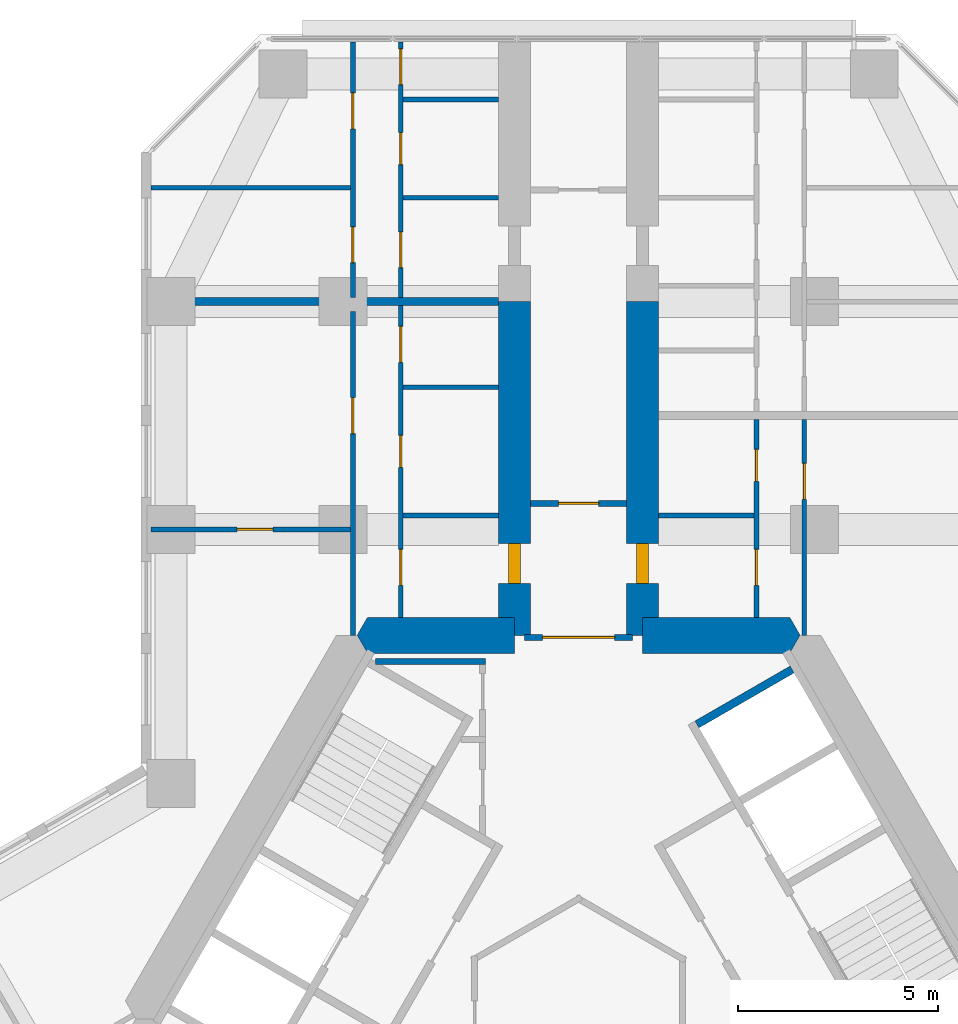
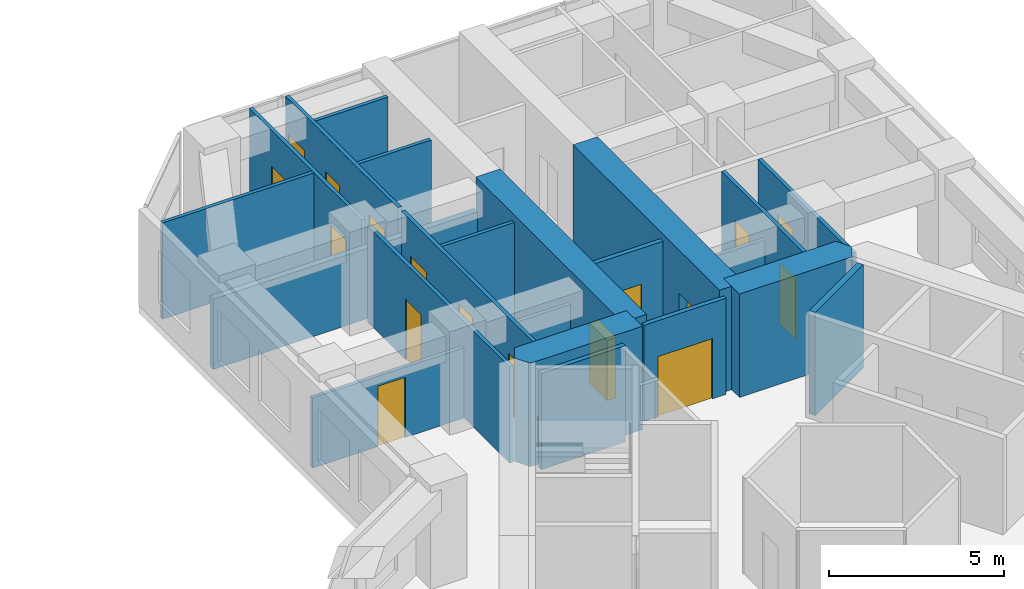
# One storey, part 17 of 20: 22 walls, 17 doors, 17 openings.
"""IFC4 building model written with IfcOpenShell, lengths in metres."""

import ifcopenshell
import ifcopenshell.guid

model = None  # the IFC model being written
_history = None  # IfcOwnerHistory: only IFC2X3 demands one
_inside = {}  # id of a spatial element -> (the spatial element, [elements in it])
_under = {}  # id of a project, library or spatial element -> (it, [spatial elements below it])
_declared = {}  # id of a project -> (the project, [libraries it declares])
_typed = {}  # id of a type object -> (the type object, [elements of that type])
_made_of = {}  # id of a material, layer set ... -> (it, [elements and type objects made of it])


def new_model(schema):
    """Start an empty IFC model of exactly this schema.

    Asked for "IFC4X3", IfcOpenShell would pick the latest addendum, in which some entities
    have other attributes; the version numbers below select the first issue.
    IFC2X3 requires an IfcOwnerHistory on every rooted entity: one is made here for all.
    """
    global model, _history
    if schema == "IFC4X3":
        model = ifcopenshell.file(schema_version=(4, 3, 0, 0))
    else:
        model = ifcopenshell.file(schema=schema)
    _inside.clear()
    _under.clear()
    _declared.clear()
    _typed.clear()
    _made_of.clear()
    _history = None
    if model.schema == "IFC2X3":
        org = make("IfcOrganization", Name="unknown")
        user = make(
            "IfcPersonAndOrganization",
            ThePerson=make("IfcPerson", FamilyName="unknown"),
            TheOrganization=org,
        )
        app = make(
            "IfcApplication",
            ApplicationDeveloper=org,
            Version="unknown",
            ApplicationFullName="unknown",
            ApplicationIdentifier="unknown",
        )
        _history = make(
            "IfcOwnerHistory",
            OwningUser=user,
            OwningApplication=app,
            ChangeAction="ADDED",
            CreationDate=0,
        )
    return model


def make(cls, **values):
    """One entity of the class cls with the attributes given. An attribute that is None is left unset."""
    return model.create_entity(
        cls, **{name: value for name, value in values.items() if value is not None}
    )


def rooted(cls, **values):
    """An entity with a GlobalId (a new one), such as an element, a storey or a relation."""
    return make(cls, GlobalId=ifcopenshell.guid.new(), OwnerHistory=_history, **values)


def si_unit(unit_type, name, prefix=None):
    """IfcSIUnit, for example si_unit("LENGTHUNIT", "METRE", prefix="MILLI")."""
    return make("IfcSIUnit", UnitType=unit_type, Prefix=prefix, Name=name)


def assignment(units):
    """IfcUnitAssignment: the units of a project."""
    return None if units is None else make("IfcUnitAssignment", Units=units)


def point(xyz):
    """IfcCartesianPoint."""
    return None if xyz is None else make("IfcCartesianPoint", Coordinates=xyz)


def direction(xyz):
    """IfcDirection."""
    return None if xyz is None else make("IfcDirection", DirectionRatios=xyz)


def frame(location, z_axis=None, x_axis=None):
    """IfcAxis2Placement3D, a coordinate frame: its origin and axes. An axis left out is left unset."""
    return make(
        "IfcAxis2Placement3D",
        Location=point(location),
        Axis=direction(z_axis),
        RefDirection=direction(x_axis),
    )


def frame_2d(location, x_axis=None):
    """IfcAxis2Placement2D, a coordinate frame in the plane: its origin and x axis."""
    return make(
        "IfcAxis2Placement2D", Location=point(location), RefDirection=direction(x_axis)
    )


def origin():
    """The frame at (0, 0, 0) with its axes left unset."""
    return frame((0.0, 0.0, 0.0))


def place(relative_to, where):
    """IfcLocalPlacement: puts the frame where relative to a parent placement (None: the world)."""
    return make(
        "IfcLocalPlacement", PlacementRelTo=relative_to, RelativePlacement=where
    )


def context(
    kind, dimensions, precision=None, world=None, true_north=None, identifier=None
):
    """IfcGeometricRepresentationContext, for example the 3D "Model" context."""
    return make(
        "IfcGeometricRepresentationContext",
        ContextIdentifier=identifier,
        ContextType=kind,
        CoordinateSpaceDimension=dimensions,
        Precision=precision,
        WorldCoordinateSystem=world,
        TrueNorth=true_north,
    )


def subcontext(parent, identifier, kind, view, scale=None):
    """IfcGeometricRepresentationSubContext, for example "Body" below "Model"."""
    return make(
        "IfcGeometricRepresentationSubContext",
        ContextIdentifier=identifier,
        ContextType=kind,
        ParentContext=parent,
        TargetScale=scale,
        TargetView=view,
    )


def project(units=None, contexts=None):
    """IfcProject with its units and contexts."""
    return rooted(
        "IfcProject",
        Name="project",
        RepresentationContexts=contexts,
        UnitsInContext=assignment(units),
    )


def spatial(cls, under=None, at=None, **own):
    """A site, building, storey or space (cls), placed at a placement, below another one or the project."""
    s = rooted(cls, ObjectPlacement=at, **own)
    if under is not None:
        _under.setdefault(under.id(), (under, []))[1].append(s)
    return s


def polyline(points):
    """IfcPolyline through the points."""
    return make("IfcPolyline", Points=[point(p) for p in points])


def profile(cls, at=None, kind="AREA", **sizes):
    """A parametric profile (cls). Its sizes go by their IFC names, for example OverallWidth=200.0."""
    return make(cls, ProfileType=kind, Position=at, **sizes)


def rectangle(**sizes):
    """IfcRectangleProfileDef."""
    return profile("IfcRectangleProfileDef", **sizes)


def outline(outer, holes=None, kind="AREA"):
    """IfcArbitraryClosedProfileDef: a profile drawn as a closed curve; with holes, ...WithVoids."""
    if holes is None:
        return make("IfcArbitraryClosedProfileDef", ProfileType=kind, OuterCurve=outer)
    return make(
        "IfcArbitraryProfileDefWithVoids",
        ProfileType=kind,
        OuterCurve=outer,
        InnerCurves=holes,
    )


def extrude(swept, where, along, depth):
    """IfcExtrudedAreaSolid: the profile swept, set in the frame where, extruded along a direction by depth."""
    return make(
        "IfcExtrudedAreaSolid",
        SweptArea=swept,
        Position=where,
        ExtrudedDirection=direction(along),
        Depth=depth,
    )


def shape(context_of_items, identifier, shape_type, items):
    """IfcShapeRepresentation: the items that make up one representation, for example the "Body"."""
    return make(
        "IfcShapeRepresentation",
        ContextOfItems=context_of_items,
        RepresentationIdentifier=identifier,
        RepresentationType=shape_type,
        Items=items,
    )


def material(Name=None, Category=None):
    """IfcMaterial."""
    return make("IfcMaterial", Name=Name, Category=Category)


def layer(
    of_material, thickness, ventilated=None, Name=None, Category=None, Priority=None
):
    """IfcMaterialLayer: one layer of a wall or slab, of a material (None: an air gap)."""
    return make(
        "IfcMaterialLayer",
        Material=of_material,
        LayerThickness=thickness,
        IsVentilated=ventilated,
        Name=Name,
        Category=Category,
        Priority=Priority,
    )


def layer_set(layers, Name=None):
    """IfcMaterialLayerSet."""
    return make("IfcMaterialLayerSet", MaterialLayers=layers, LayerSetName=Name)


def made_of(thing, what):
    """Note that an element or type object is made of a material, layer set ...; save() writes the relation."""
    if what is not None:
        _made_of.setdefault(what.id(), (what, []))[1].append(thing)
    return thing


def type_object(cls, material=None, **own):
    """A type object (cls), such as IfcWallType, which elements share."""
    return made_of(rooted(cls, **own), material)


def element(
    cls,
    number,
    at=None,
    inside=None,
    cuts=None,
    type_object=None,
    material=None,
    context=None,
    identifier="Body",
    shape_type=None,
    held_by="IfcProductDefinitionShape",
    body=None,
    shapes=None,
    **own,
):
    """One element of the class cls, such as IfcWall. Its Tag is "e" and its number.

    at: its placement. inside: the storey or other place that contains it. cuts: it is an
    opening in that element (IfcRelVoidsElement). A single representation is given by context,
    identifier, shape_type and body (its items); several are given by shapes. held_by: the class
    of the entity that holds the representations. save() writes the other relations.
    """
    e = rooted(cls, Tag="e%d" % number, ObjectPlacement=at, **own)
    if body is not None:
        shapes = [shape(context, identifier, shape_type, body)]
    if shapes is not None:
        e.Representation = make(held_by, Representations=shapes)
    if inside is not None:
        _inside.setdefault(inside.id(), (inside, []))[1].append(e)
    if cuts is not None:
        rooted(
            "IfcRelVoidsElement", RelatingBuildingElement=cuts, RelatedOpeningElement=e
        )
    if type_object is not None:
        _typed.setdefault(type_object.id(), (type_object, []))[1].append(e)
    return made_of(e, material)


def fill(opening, filler):
    """IfcRelFillsElement: the door or window that sits in an opening."""
    return rooted(
        "IfcRelFillsElement",
        RelatingOpeningElement=opening,
        RelatedBuildingElement=filler,
    )


def aggregate(whole, parts):
    """IfcRelAggregates: a whole, such as a stair, and the parts it consists of."""
    return rooted("IfcRelAggregates", RelatingObject=whole, RelatedObjects=parts)


def save(model, path):
    """Write the relations noted so far, then the file.

    IfcRelAggregates (storeys below a building ...), IfcRelContainedInSpatialStructure (elements
    in a storey), IfcRelDefinesByType, IfcRelAssociatesMaterial and IfcRelDeclares: one each for
    every whole, place, type object, material and project.
    """
    for whole, parts in _under.values():
        aggregate(whole, parts)
    for where, things in _inside.values():
        rooted(
            "IfcRelContainedInSpatialStructure",
            RelatedElements=things,
            RelatingStructure=where,
        )
    for kind, things in _typed.values():
        rooted("IfcRelDefinesByType", RelatedObjects=things, RelatingType=kind)
    for what, things in _made_of.values():
        rooted("IfcRelAssociatesMaterial", RelatedObjects=things, RelatingMaterial=what)
    for by, libraries in _declared.values():
        rooted("IfcRelDeclares", RelatingContext=by, RelatedDefinitions=libraries)
    model.write(path)


model = new_model("IFC4")

# Units and contexts
model_context = context("Model", 3, precision=1e-05, world=origin(), true_north=direction((0.0, 1.0)))
body_context = subcontext(model_context, "Body", "Model", "MODEL_VIEW")
ifc_project = project(units=[si_unit("LENGTHUNIT", "METRE"), si_unit("AREAUNIT", "SQUARE_METRE"), si_unit("VOLUMEUNIT", "CUBIC_METRE"), si_unit("PLANEANGLEUNIT", "RADIAN"), si_unit("MASSUNIT", "GRAM", prefix="KILO")], contexts=[model_context])

# Site, building, storey
site_placement = place(None, origin())
site = spatial("IfcSite", under=ifc_project, at=site_placement, CompositionType="ELEMENT")
building_placement = place(site_placement, origin())
building = spatial("IfcBuilding", under=site, at=building_placement, Name="Kosmar Iwan School Tower", CompositionType="ELEMENT")
storey_placement = place(building_placement, frame((0.0, 0.0, 127.39990234375)))
storey = spatial("IfcBuildingStorey", under=building, at=storey_placement, Name="L31", CompositionType="ELEMENT", Elevation=127.39990234375)

# Walls
ifc_material_1 = material(Name="Gypsum board on steel studs, fire-rated", Category="steel")
ifc_layer_1 = layer(ifc_material_1, 0.14990234375)
ifc_layer_set_1 = layer_set([ifc_layer_1], Name="Core room partition 150")
wall_type_1 = type_object("IfcWallType", Name="Core room partition 150", PredefinedType="PARTITIONING", material=ifc_layer_set_1)
wall_1_placement = place(storey_placement, frame((-5.089599609375, 8.93994140625, 0.0), z_axis=(0.0, 0.0, 1.0), x_axis=(1.0, 0.0, 0.0)))
element("IfcWall", 1, at=wall_1_placement, inside=storey, type_object=wall_type_1, Name="Core room partition L31-CW3", PredefinedType="PARTITIONING", context=body_context, shape_type="SweptSolid", body=[
    extrude(rectangle(XDim=2.7646484375, YDim=0.14990234375, at=frame_2d((1.38232421875, 0.0))), origin(), (0.0, 0.0, 1.0), 3.35009765625),
])
ifc_material_2 = material(Name="Concrete C50/60", Category="concrete")
ifc_layer_2 = layer(ifc_material_2, 0.89990234375)
ifc_layer_set_2 = layer_set([ifc_layer_2], Name="Core wall 900")
wall_type_2 = type_object("IfcWallType", Name="Core wall 900", PredefinedType="SHEAR", material=ifc_layer_set_2)
wall_2_placement = place(storey_placement, origin())
element("IfcWall", 2, at=wall_2_placement, inside=storey, type_object=wall_type_2, Name="Core wall F090a", PredefinedType="SHEAR", context=body_context, shape_type="SweptSolid", body=[
    extrude(outline(polyline([(1.60009765625, 9.14990234375), (5.28271484375, 9.14990234375), (5.54248046875, 9.60009765625), (5.28271484375, 10.050048828125), (1.60009765625, 10.050048828125), (1.60009765625, 9.14990234375)])), origin(), (0.0, 0.0, 1.0), 3.60009765625),
])
wall_3_placement = place(storey_placement, origin())
element("IfcWall", 3, at=wall_3_placement, inside=storey, type_object=wall_type_2, Name="Core wall F090b", PredefinedType="SHEAR", context=body_context, shape_type="SweptSolid", body=[
    extrude(outline(polyline([(-5.28271484375, 9.14990234375), (-1.60009765625, 9.14990234375), (-1.60009765625, 10.050048828125), (-5.28271484375, 10.050048828125), (-5.54248046875, 9.60009765625), (-5.28271484375, 9.14990234375)])), origin(), (0.0, 0.0, 1.0), 3.60009765625),
])

# Wall, opening, door
ifc_material_3 = material(Name="Concrete C50/60", Category="concrete")
ifc_layer_3 = layer(ifc_material_3, 0.800048828125)
ifc_layer_set_3 = layer_set([ifc_layer_3], Name="Corridor buttress wall 800")
wall_type_3 = type_object("IfcWallType", Name="Corridor buttress wall 800", PredefinedType="SHEAR", material=ifc_layer_set_3)
wall_4_placement = place(storey_placement, frame((-1.60009765625, 9.60009765625, 0.0), z_axis=(0.0, 0.0, 1.0), x_axis=(0.0, 1.0, 0.0)))
wall_4 = element("IfcWall", 4, at=wall_4_placement, inside=storey, type_object=wall_type_3, Name="Corridor wall AL", PredefinedType="SHEAR", context=body_context, shape_type="SweptSolid", body=[
    extrude(rectangle(XDim=8.349853515625, YDim=0.800048828125, at=frame_2d((4.1748046875, 0.0))), origin(), (0.0, 0.0, 1.0), 3.60009765625),
])
opening_1_placement = place(wall_4_placement, frame((1.300048828125, 0.0, 0.0)))
opening_1 = element("IfcOpeningElement", 5, at=opening_1_placement, cuts=wall_4, Name="Opening D1", PredefinedType="OPENING", context=body_context, shape_type="SweptSolid", body=[
    extrude(rectangle(XDim=1.0, YDim=2.10009765625, at=frame_2d((0.5, 1.050048828125))), frame((0.0, 0.412109375, 0.0), z_axis=(0.0, -1.0, 0.0), x_axis=(1.0, 0.0, 0.0)), (0.0, 0.0, 1.0), 0.823974609375),
])
ifc_material_4 = material(Name="Timber fire door in steel frame", Category="steel")
door_type_1 = type_object("IfcDoorType", Name="Flat entrance door 1000x2100", OperationType="SINGLE_SWING_LEFT", PredefinedType="DOOR", material=ifc_material_4)
door_1_placement = place(opening_1_placement, origin())
door_1 = element("IfcDoor", 6, at=door_1_placement, inside=storey, type_object=door_type_1, Name="Flat L31-AL1 entrance door", OperationType="SINGLE_SWING_RIGHT", OverallHeight=2.10009765625, OverallWidth=1.0, PredefinedType="DOOR", context=body_context, shape_type="SweptSolid", body=[
    extrude(rectangle(XDim=1.0, YDim=2.10009765625, at=frame_2d((0.5, 1.050048828125))), frame((0.0, 0.14990234375, 0.0), z_axis=(0.0, -1.0, 0.0), x_axis=(1.0, 0.0, 0.0)), (0.0, 0.0, 1.0), 0.300048828125),
])
fill(opening_1, door_1)

wall_5_placement = place(storey_placement, frame((1.60009765625, 9.60009765625, 0.0), z_axis=(0.0, 0.0, 1.0), x_axis=(0.0, 1.0, 0.0)))
wall_5 = element("IfcWall", 7, at=wall_5_placement, inside=storey, type_object=wall_type_3, Name="Corridor wall AR", PredefinedType="SHEAR", context=body_context, shape_type="SweptSolid", body=[
    extrude(rectangle(XDim=8.349853515625, YDim=0.800048828125, at=frame_2d((4.1748046875, 0.0))), origin(), (0.0, 0.0, 1.0), 3.60009765625),
])
opening_2_placement = place(wall_5_placement, frame((1.300048828125, 0.0, 0.0)))
opening_2 = element("IfcOpeningElement", 8, at=opening_2_placement, cuts=wall_5, Name="Opening D1", PredefinedType="OPENING", context=body_context, shape_type="SweptSolid", body=[
    extrude(rectangle(XDim=1.0, YDim=2.10009765625, at=frame_2d((0.5, 1.050048828125))), frame((0.0, 0.412109375, 0.0), z_axis=(0.0, -1.0, 0.0), x_axis=(1.0, 0.0, 0.0)), (0.0, 0.0, 1.0), 0.823974609375),
])
door_2_placement = place(opening_2_placement, origin())
door_2 = element("IfcDoor", 9, at=door_2_placement, inside=storey, type_object=door_type_1, Name="Flat L31-AR1 entrance door", OperationType="SINGLE_SWING_RIGHT", OverallHeight=2.10009765625, OverallWidth=1.0, PredefinedType="DOOR", context=body_context, shape_type="SweptSolid", body=[
    extrude(rectangle(XDim=1.0, YDim=2.10009765625, at=frame_2d((0.5, 1.050048828125))), frame((0.0, 0.14990234375, 0.0), z_axis=(0.0, -1.0, 0.0), x_axis=(1.0, 0.0, 0.0)), (0.0, 0.0, 1.0), 0.300048828125),
])
fill(opening_2, door_2)

ifc_material_5 = material(Name="Gypsum board on steel studs, fire-rated", Category="steel")
ifc_layer_4 = layer(ifc_material_5, 0.14990234375)
ifc_layer_set_4 = layer_set([ifc_layer_4], Name="Corridor end wall 150")
wall_type_4 = type_object("IfcWallType", Name="Corridor end wall 150", PredefinedType="PARTITIONING", material=ifc_layer_set_4)
wall_6_placement = place(storey_placement, frame((1.199951171875, 12.89990234375, 0.0), z_axis=(0.0, 0.0, 1.0), x_axis=(-1.0, 0.0, 0.0)))
wall_6 = element("IfcWall", 10, at=wall_6_placement, inside=storey, type_object=wall_type_4, Name="Partition L31-A-HW", PredefinedType="PARTITIONING", context=body_context, shape_type="SweptSolid", body=[
    extrude(rectangle(XDim=2.39990234375, YDim=0.14990234375, at=frame_2d((1.199951171875, 0.0))), origin(), (0.0, 0.0, 1.0), 3.35009765625),
])
opening_3_placement = place(wall_6_placement, frame((0.699951171875, 0.0, 0.0)))
opening_3 = element("IfcOpeningElement", 11, at=opening_3_placement, cuts=wall_6, Name="Opening D13", PredefinedType="OPENING", context=body_context, shape_type="SweptSolid", body=[
    extrude(rectangle(XDim=1.0, YDim=2.10009765625, at=frame_2d((0.5, 1.050048828125))), frame((0.0, 0.0869140625, 0.0), z_axis=(0.0, -1.0, 0.0), x_axis=(1.0, 0.0, 0.0)), (0.0, 0.0, 1.0), 0.173828125),
])
ifc_material_6 = material(Name="Timber fire door with vision panel", Category="wood")
door_type_2 = type_object("IfcDoorType", Name="Corridor end door 1000x2100", OperationType="SINGLE_SWING_LEFT", PredefinedType="DOOR", material=ifc_material_6)
door_3_placement = place(opening_3_placement, origin())
door_3 = element("IfcDoor", 12, at=door_3_placement, inside=storey, type_object=door_type_2, Name="Hashti door L31-A", OperationType="SINGLE_SWING_RIGHT", OverallHeight=2.10009765625, OverallWidth=1.0, PredefinedType="DOOR", context=body_context, shape_type="SweptSolid", body=[
    extrude(rectangle(XDim=1.0, YDim=2.10009765625, at=frame_2d((0.5, 1.050048828125))), frame((0.0, 0.02490234375, 0.0), z_axis=(0.0, -1.0, 0.0), x_axis=(1.0, 0.0, 0.0)), (0.0, 0.0, 1.0), 0.050048828125),
])
fill(opening_3, door_3)

ifc_material_7 = material(Name="Steel framed glazed screen", Category="steel")
ifc_layer_5 = layer(ifc_material_7, 0.14990234375)
ifc_layer_set_5 = layer_set([ifc_layer_5], Name="Corridor screen wall 150")
wall_type_5 = type_object("IfcWallType", Name="Corridor screen wall 150", PredefinedType="PARTITIONING", material=ifc_layer_set_5)
wall_7_placement = place(storey_placement, frame((1.35009765625, 9.550048828125, 0.0), z_axis=(0.0, 0.0, 1.0), x_axis=(-1.0, 0.0, 0.0)))
wall_7 = element("IfcWall", 13, at=wall_7_placement, inside=storey, type_object=wall_type_5, Name="Corridor screen A L31", PredefinedType="PARTITIONING", context=body_context, shape_type="SweptSolid", body=[
    extrude(rectangle(XDim=2.7001953125, YDim=0.14990234375, at=frame_2d((1.35009765625, 0.0))), origin(), (0.0, 0.0, 1.0), 3.35009765625),
])
opening_4_placement = place(wall_7_placement, frame((0.449951171875, 0.0, 0.0)))
opening_4 = element("IfcOpeningElement", 14, at=opening_4_placement, cuts=wall_7, Name="Opening D9", PredefinedType="OPENING", context=body_context, shape_type="SweptSolid", body=[
    extrude(rectangle(XDim=1.800048828125, YDim=2.10009765625, at=frame_2d((0.89990234375, 1.050048828125))), frame((0.0, 0.0869140625, 0.0), z_axis=(0.0, -1.0, 0.0), x_axis=(1.0, 0.0, 0.0)), (0.0, 0.0, 1.0), 0.173828125),
])
ifc_material_8 = material(Name="Steel framed glazed smoke door", Category="steel")
door_type_3 = type_object("IfcDoorType", Name="Corridor smoke door pair 1800x2100", OperationType="DOUBLE_DOOR_DOUBLE_SWING", PredefinedType="DOOR", material=ifc_material_8)
door_4_placement = place(opening_4_placement, origin())
door_4 = element("IfcDoor", 15, at=door_4_placement, inside=storey, type_object=door_type_3, Name="Corridor doors A L31", OperationType="DOUBLE_DOOR_DOUBLE_SWING", OverallHeight=2.10009765625, OverallWidth=1.800048828125, PredefinedType="DOOR", context=body_context, shape_type="SweptSolid", body=[
    extrude(rectangle(XDim=1.800048828125, YDim=2.10009765625, at=frame_2d((0.89990234375, 1.050048828125))), frame((0.0, 0.02490234375, 0.0), z_axis=(0.0, -1.0, 0.0), x_axis=(1.0, 0.0, 0.0)), (0.0, 0.0, 1.0), 0.050048828125),
])
fill(opening_4, door_4)

# Wall, openings, doors
ifc_material_9 = material(Name="Gypsum board on steel studs", Category="steel")
ifc_layer_6 = layer(ifc_material_9, 0.1201171875)
ifc_layer_set_6 = layer_set([ifc_layer_6], Name="Dwelling partition 120")
wall_type_6 = type_object("IfcWallType", Name="Dwelling partition 120", PredefinedType="PARTITIONING", material=ifc_layer_set_6)
wall_8_placement = place(storey_placement, frame((-4.449951171875, 10.050048828125, 0.0), z_axis=(0.0, 0.0, 1.0), x_axis=(0.0, 1.0, 0.0)))
wall_8 = element("IfcWall", 16, at=wall_8_placement, inside=storey, type_object=wall_type_6, Name="Partition L31-AL1-W1", PredefinedType="PARTITIONING", context=body_context, shape_type="SweptSolid", body=[
    extrude(rectangle(XDim=7.800048828125, YDim=0.1201171875, at=frame_2d((3.89990234375, 0.0))), origin(), (0.0, 0.0, 1.0), 3.35009765625),
])
opening_5_placement = place(wall_8_placement, frame((0.800048828125, 0.0, 0.0)))
opening_5 = element("IfcOpeningElement", 17, at=opening_5_placement, cuts=wall_8, Name="Opening D2", PredefinedType="OPENING", context=body_context, shape_type="SweptSolid", body=[
    extrude(rectangle(XDim=0.89990234375, YDim=2.10009765625, at=frame_2d((0.449951171875, 1.050048828125))), frame((0.0, 0.072021484375, 0.0), z_axis=(0.0, -1.0, 0.0), x_axis=(1.0, 0.0, 0.0)), (0.0, 0.0, 1.0), 0.14404296875),
])
opening_6_placement = place(wall_8_placement, frame((3.755126953125, 0.0, 0.0)))
opening_6 = element("IfcOpeningElement", 18, at=opening_6_placement, cuts=wall_8, Name="Opening D3", PredefinedType="OPENING", context=body_context, shape_type="SweptSolid", body=[
    extrude(rectangle(XDim=0.800048828125, YDim=2.10009765625, at=frame_2d((0.39990234375, 1.050048828125))), frame((0.0, 0.072021484375, 0.0), z_axis=(0.0, -1.0, 0.0), x_axis=(1.0, 0.0, 0.0)), (0.0, 0.0, 1.0), 0.14404296875),
])
opening_7_placement = place(wall_8_placement, frame((6.380126953125, 0.0, 0.0)))
opening_7 = element("IfcOpeningElement", 19, at=opening_7_placement, cuts=wall_8, Name="Opening D2", PredefinedType="OPENING", context=body_context, shape_type="SweptSolid", body=[
    extrude(rectangle(XDim=0.89990234375, YDim=2.10009765625, at=frame_2d((0.449951171875, 1.050048828125))), frame((0.0, 0.072021484375, 0.0), z_axis=(0.0, -1.0, 0.0), x_axis=(1.0, 0.0, 0.0)), (0.0, 0.0, 1.0), 0.14404296875),
])
ifc_material_10 = material(Name="Timber door in timber frame", Category="wood")
door_type_4 = type_object("IfcDoorType", Name="Internal door 900x2100", OperationType="SINGLE_SWING_LEFT", PredefinedType="DOOR", material=ifc_material_10)
door_5_placement = place(opening_5_placement, origin())
door_5 = element("IfcDoor", 20, at=door_5_placement, inside=storey, type_object=door_type_4, Name="Entrance hall door L31-AL1-S1", OperationType="SINGLE_SWING_LEFT", OverallHeight=2.10009765625, OverallWidth=0.89990234375, PredefinedType="DOOR", context=body_context, shape_type="SweptSolid", body=[
    extrude(rectangle(XDim=0.89990234375, YDim=2.10009765625, at=frame_2d((0.449951171875, 1.050048828125))), frame((0.0, 0.02490234375, 0.0), z_axis=(0.0, -1.0, 0.0), x_axis=(1.0, 0.0, 0.0)), (0.0, 0.0, 1.0), 0.050048828125),
])
fill(opening_5, door_5)
door_6_placement = place(opening_7_placement, origin())
door_6 = element("IfcDoor", 21, at=door_6_placement, inside=storey, type_object=door_type_4, Name="Pantry door L31-AL1-S3", OperationType="SINGLE_SWING_RIGHT", OverallHeight=2.10009765625, OverallWidth=0.89990234375, PredefinedType="DOOR", context=body_context, shape_type="SweptSolid", body=[
    extrude(rectangle(XDim=0.89990234375, YDim=2.10009765625, at=frame_2d((0.449951171875, 1.050048828125))), frame((0.0, 0.02490234375, 0.0), z_axis=(0.0, -1.0, 0.0), x_axis=(1.0, 0.0, 0.0)), (0.0, 0.0, 1.0), 0.050048828125),
])
fill(opening_7, door_6)
ifc_material_11 = material(Name="Timber door in timber frame", Category="wood")
door_type_5 = type_object("IfcDoorType", Name="Sanitary room door 800x2100", OperationType="SINGLE_SWING_LEFT", PredefinedType="DOOR", material=ifc_material_11)
door_7_placement = place(opening_6_placement, origin())
door_7 = element("IfcDoor", 22, at=door_7_placement, inside=storey, type_object=door_type_5, Name="Bathroom door L31-AL1-S2", OperationType="SINGLE_SWING_RIGHT", OverallHeight=2.10009765625, OverallWidth=0.800048828125, PredefinedType="DOOR", context=body_context, shape_type="SweptSolid", body=[
    extrude(rectangle(XDim=0.800048828125, YDim=2.10009765625, at=frame_2d((0.39990234375, 1.050048828125))), frame((0.0, 0.02490234375, 0.0), z_axis=(0.0, -1.0, 0.0), x_axis=(1.0, 0.0, 0.0)), (0.0, 0.0, 1.0), 0.050048828125),
])
fill(opening_6, door_7)

# Wall, opening, door
wall_9_placement = place(storey_placement, frame((-5.64990234375, 9.60009765625, 0.0), z_axis=(0.0, 0.0, 1.0), x_axis=(0.0, 1.0, 0.0)))
wall_9 = element("IfcWall", 23, at=wall_9_placement, inside=storey, type_object=wall_type_6, Name="Partition L31-AL1-W2", PredefinedType="PARTITIONING", context=body_context, shape_type="SweptSolid", body=[
    extrude(rectangle(XDim=8.099853515625, YDim=0.1201171875, at=frame_2d((4.0498046875, 0.0))), origin(), (0.0, 0.0, 1.0), 3.35009765625),
])
opening_8_placement = place(wall_9_placement, frame((5.050048828125, 0.0, 0.0)))
opening_8 = element("IfcOpeningElement", 24, at=opening_8_placement, cuts=wall_9, Name="Opening D2", PredefinedType="OPENING", context=body_context, shape_type="SweptSolid", body=[
    extrude(rectangle(XDim=0.89990234375, YDim=2.10009765625, at=frame_2d((0.449951171875, 1.050048828125))), frame((0.0, 0.072021484375, 0.0), z_axis=(0.0, -1.0, 0.0), x_axis=(1.0, 0.0, 0.0)), (0.0, 0.0, 1.0), 0.14404296875),
])
door_8_placement = place(opening_8_placement, origin())
door_8 = element("IfcDoor", 25, at=door_8_placement, inside=storey, type_object=door_type_4, Name="Studio living room door L31-AL1-F2", OperationType="SINGLE_SWING_RIGHT", OverallHeight=2.10009765625, OverallWidth=0.89990234375, PredefinedType="DOOR", context=body_context, shape_type="SweptSolid", body=[
    extrude(rectangle(XDim=0.89990234375, YDim=2.10009765625, at=frame_2d((0.449951171875, 1.050048828125))), frame((0.0, 0.02490234375, 0.0), z_axis=(0.0, -1.0, 0.0), x_axis=(1.0, 0.0, 0.0)), (0.0, 0.0, 1.0), 0.050048828125),
])
fill(opening_8, door_8)

wall_10_placement = place(storey_placement, frame((-5.7099609375, 12.25, 0.0), z_axis=(0.0, 0.0, 1.0), x_axis=(-1.0, 0.0, 0.0)))
wall_10 = element("IfcWall", 26, at=wall_10_placement, inside=storey, type_object=wall_type_6, Name="Partition L31-AL1-X1", PredefinedType="PARTITIONING", context=body_context, shape_type="SweptSolid", body=[
    extrude(rectangle(XDim=4.989990234375, YDim=0.1201171875, at=frame_2d((2.4951171875, 0.0))), origin(), (0.0, 0.0, 1.0), 2.4501953125),
])
opening_9_placement = place(wall_10_placement, frame((1.93994140625, 0.0, 0.0)))
opening_9 = element("IfcOpeningElement", 27, at=opening_9_placement, cuts=wall_10, Name="Opening D2", PredefinedType="OPENING", context=body_context, shape_type="SweptSolid", body=[
    extrude(rectangle(XDim=0.89990234375, YDim=2.10009765625, at=frame_2d((0.449951171875, 1.050048828125))), frame((0.0, 0.072021484375, 0.0), z_axis=(0.0, -1.0, 0.0), x_axis=(1.0, 0.0, 0.0)), (0.0, 0.0, 1.0), 0.14404296875),
])
door_9_placement = place(opening_9_placement, origin())
door_9 = element("IfcDoor", 28, at=door_9_placement, inside=storey, type_object=door_type_4, Name="Kitchen and dining room door L31-AL1-F1", OperationType="SINGLE_SWING_LEFT", OverallHeight=2.10009765625, OverallWidth=0.89990234375, PredefinedType="DOOR", context=body_context, shape_type="SweptSolid", body=[
    extrude(rectangle(XDim=0.89990234375, YDim=2.10009765625, at=frame_2d((0.449951171875, 1.050048828125))), frame((0.0, 0.02490234375, 0.0), z_axis=(0.0, -1.0, 0.0), x_axis=(1.0, 0.0, 0.0)), (0.0, 0.0, 1.0), 0.050048828125),
])
fill(opening_9, door_9)

# Walls
wall_11_placement = place(storey_placement, frame((-2.0, 12.60009765625, 0.0), z_axis=(0.0, 0.0, 1.0), x_axis=(-1.0, 0.0, 0.0)))
element("IfcWall", 29, at=wall_11_placement, inside=storey, type_object=wall_type_6, Name="Partition L31-AL1-Y1", PredefinedType="PARTITIONING", context=body_context, shape_type="SweptSolid", body=[
    extrude(rectangle(XDim=2.389892578125, YDim=0.1201171875, at=frame_2d((1.19482421875, 0.0))), origin(), (0.0, 0.0, 1.0), 2.4501953125),
])
wall_12_placement = place(storey_placement, frame((-2.0, 15.81005859375, 0.0), z_axis=(0.0, 0.0, 1.0), x_axis=(-1.0, 0.0, 0.0)))
element("IfcWall", 30, at=wall_12_placement, inside=storey, type_object=wall_type_6, Name="Partition L31-AL1-Y2", PredefinedType="PARTITIONING", context=body_context, shape_type="SweptSolid", body=[
    extrude(rectangle(XDim=2.389892578125, YDim=0.1201171875, at=frame_2d((1.19482421875, 0.0))), origin(), (0.0, 0.0, 1.0), 3.35009765625),
])

# Wall, openings, doors
wall_13_placement = place(storey_placement, frame((-4.449951171875, 18.050048828125, 0.0), z_axis=(0.0, 0.0, 1.0), x_axis=(0.0, 1.0, 0.0)))
wall_13 = element("IfcWall", 31, at=wall_13_placement, inside=storey, type_object=wall_type_6, Name="Partition L31-AL2-W1", PredefinedType="PARTITIONING", context=body_context, shape_type="SweptSolid", body=[
    extrude(rectangle(XDim=6.39501953125, YDim=0.1201171875, at=frame_2d((3.197509765625, 0.0))), origin(), (0.0, 0.0, 1.0), 3.35009765625),
])
opening_10_placement = place(wall_13_placement, frame((0.75, 0.0, 0.0)))
opening_10 = element("IfcOpeningElement", 32, at=opening_10_placement, cuts=wall_13, Name="Opening D2", PredefinedType="OPENING", context=body_context, shape_type="SweptSolid", body=[
    extrude(rectangle(XDim=0.89990234375, YDim=2.10009765625, at=frame_2d((0.449951171875, 1.050048828125))), frame((0.0, 0.072021484375, 0.0), z_axis=(0.0, -1.0, 0.0), x_axis=(1.0, 0.0, 0.0)), (0.0, 0.0, 1.0), 0.14404296875),
])
opening_11_placement = place(wall_13_placement, frame((3.330078125, 0.0, 0.0)))
opening_11 = element("IfcOpeningElement", 33, at=opening_11_placement, cuts=wall_13, Name="Opening D3", PredefinedType="OPENING", context=body_context, shape_type="SweptSolid", body=[
    extrude(rectangle(XDim=0.800048828125, YDim=2.10009765625, at=frame_2d((0.39990234375, 1.050048828125))), frame((0.0, 0.072021484375, 0.0), z_axis=(0.0, -1.0, 0.0), x_axis=(1.0, 0.0, 0.0)), (0.0, 0.0, 1.0), 0.14404296875),
])
opening_12_placement = place(wall_13_placement, frame((5.330078125, 0.0, 0.0)))
opening_12 = element("IfcOpeningElement", 34, at=opening_12_placement, cuts=wall_13, Name="Opening D2", PredefinedType="OPENING", context=body_context, shape_type="SweptSolid", body=[
    extrude(rectangle(XDim=0.89990234375, YDim=2.10009765625, at=frame_2d((0.449951171875, 1.050048828125))), frame((0.0, 0.072021484375, 0.0), z_axis=(0.0, -1.0, 0.0), x_axis=(1.0, 0.0, 0.0)), (0.0, 0.0, 1.0), 0.14404296875),
])
door_10_placement = place(opening_10_placement, origin())
door_10 = element("IfcDoor", 35, at=door_10_placement, inside=storey, type_object=door_type_4, Name="Entrance hall door L31-AL2-S1", OperationType="SINGLE_SWING_LEFT", OverallHeight=2.10009765625, OverallWidth=0.89990234375, PredefinedType="DOOR", context=body_context, shape_type="SweptSolid", body=[
    extrude(rectangle(XDim=0.89990234375, YDim=2.10009765625, at=frame_2d((0.449951171875, 1.050048828125))), frame((0.0, 0.02490234375, 0.0), z_axis=(0.0, -1.0, 0.0), x_axis=(1.0, 0.0, 0.0)), (0.0, 0.0, 1.0), 0.050048828125),
])
fill(opening_10, door_10)
door_11_placement = place(opening_12_placement, origin())
door_11 = element("IfcDoor", 36, at=door_11_placement, inside=storey, type_object=door_type_4, Name="Pantry door L31-AL2-S3", OperationType="SINGLE_SWING_RIGHT", OverallHeight=2.10009765625, OverallWidth=0.89990234375, PredefinedType="DOOR", context=body_context, shape_type="SweptSolid", body=[
    extrude(rectangle(XDim=0.89990234375, YDim=2.10009765625, at=frame_2d((0.449951171875, 1.050048828125))), frame((0.0, 0.02490234375, 0.0), z_axis=(0.0, -1.0, 0.0), x_axis=(1.0, 0.0, 0.0)), (0.0, 0.0, 1.0), 0.050048828125),
])
fill(opening_12, door_11)
door_12_placement = place(opening_11_placement, origin())
door_12 = element("IfcDoor", 37, at=door_12_placement, inside=storey, type_object=door_type_5, Name="Bathroom door L31-AL2-S2", OperationType="SINGLE_SWING_RIGHT", OverallHeight=2.10009765625, OverallWidth=0.800048828125, PredefinedType="DOOR", context=body_context, shape_type="SweptSolid", body=[
    extrude(rectangle(XDim=0.800048828125, YDim=2.10009765625, at=frame_2d((0.39990234375, 1.050048828125))), frame((0.0, 0.02490234375, 0.0), z_axis=(0.0, -1.0, 0.0), x_axis=(1.0, 0.0, 0.0)), (0.0, 0.0, 1.0), 0.050048828125),
])
fill(opening_11, door_12)

wall_14_placement = place(storey_placement, frame((-5.64990234375, 18.050048828125, 0.0), z_axis=(0.0, 0.0, 1.0), x_axis=(0.0, 1.0, 0.0)))
wall_14 = element("IfcWall", 38, at=wall_14_placement, inside=storey, type_object=wall_type_6, Name="Partition L31-AL2-W2", PredefinedType="PARTITIONING", context=body_context, shape_type="SweptSolid", body=[
    extrude(rectangle(XDim=6.39501953125, YDim=0.1201171875, at=frame_2d((3.197509765625, 0.0))), origin(), (0.0, 0.0, 1.0), 3.35009765625),
])
opening_13_placement = place(wall_14_placement, frame((0.875, 0.0, 0.0)))
opening_13 = element("IfcOpeningElement", 39, at=opening_13_placement, cuts=wall_14, Name="Opening D2", PredefinedType="OPENING", context=body_context, shape_type="SweptSolid", body=[
    extrude(rectangle(XDim=0.89990234375, YDim=2.10009765625, at=frame_2d((0.449951171875, 1.050048828125))), frame((0.0, 0.072021484375, 0.0), z_axis=(0.0, -1.0, 0.0), x_axis=(1.0, 0.0, 0.0)), (0.0, 0.0, 1.0), 0.14404296875),
])
opening_14_placement = place(wall_14_placement, frame((4.22509765625, 0.0, 0.0)))
opening_14 = element("IfcOpeningElement", 40, at=opening_14_placement, cuts=wall_14, Name="Opening D2", PredefinedType="OPENING", context=body_context, shape_type="SweptSolid", body=[
    extrude(rectangle(XDim=0.89990234375, YDim=2.10009765625, at=frame_2d((0.449951171875, 1.050048828125))), frame((0.0, 0.072021484375, 0.0), z_axis=(0.0, -1.0, 0.0), x_axis=(1.0, 0.0, 0.0)), (0.0, 0.0, 1.0), 0.14404296875),
])
door_13_placement = place(opening_13_placement, origin())
door_13 = element("IfcDoor", 41, at=door_13_placement, inside=storey, type_object=door_type_4, Name="Family room and kitchen door L31-AL2-F1", OperationType="SINGLE_SWING_RIGHT", OverallHeight=2.10009765625, OverallWidth=0.89990234375, PredefinedType="DOOR", context=body_context, shape_type="SweptSolid", body=[
    extrude(rectangle(XDim=0.89990234375, YDim=2.10009765625, at=frame_2d((0.449951171875, 1.050048828125))), frame((0.0, 0.02490234375, 0.0), z_axis=(0.0, -1.0, 0.0), x_axis=(1.0, 0.0, 0.0)), (0.0, 0.0, 1.0), 0.050048828125),
])
fill(opening_13, door_13)
door_14_placement = place(opening_14_placement, origin())
door_14 = element("IfcDoor", 42, at=door_14_placement, inside=storey, type_object=door_type_4, Name="Bedroom 1 door L31-AL2-F2", OperationType="SINGLE_SWING_RIGHT", OverallHeight=2.10009765625, OverallWidth=0.89990234375, PredefinedType="DOOR", context=body_context, shape_type="SweptSolid", body=[
    extrude(rectangle(XDim=0.89990234375, YDim=2.10009765625, at=frame_2d((0.449951171875, 1.050048828125))), frame((0.0, 0.02490234375, 0.0), z_axis=(0.0, -1.0, 0.0), x_axis=(1.0, 0.0, 0.0)), (0.0, 0.0, 1.0), 0.050048828125),
])
fill(opening_14, door_14)

# Walls
wall_15_placement = place(storey_placement, frame((-5.7099609375, 20.800048828125, 0.0), z_axis=(0.0, 0.0, 1.0), x_axis=(-1.0, 0.0, 0.0)))
element("IfcWall", 43, at=wall_15_placement, inside=storey, type_object=wall_type_6, Name="Partition L31-AL2-X1", PredefinedType="PARTITIONING", context=body_context, shape_type="SweptSolid", body=[
    extrude(rectangle(XDim=4.989990234375, YDim=0.1201171875, at=frame_2d((2.4951171875, 0.0))), origin(), (0.0, 0.0, 1.0), 3.35009765625),
])
for number, where, z_axis, x_axis, name in (
    (44, (-2.0, 20.550048828125, 0.0), (0.0, 0.0, 1.0), (-1.0, 0.0, 0.0), "Partition L31-AL2-Y1"),
    (45, (-2.0, 23.010009765625, 0.0), (0.0, 0.0, 1.0), (-1.0, 0.0, 0.0), "Partition L31-AL2-Y2"),
):
    element("IfcWall", number, at=place(storey_placement, frame(where, z_axis=z_axis, x_axis=x_axis)), inside=storey, type_object=wall_type_6, Name=name, PredefinedType="PARTITIONING", context=body_context, shape_type="SweptSolid", body=[
        extrude(rectangle(XDim=2.389892578125, YDim=0.1201171875, at=frame_2d((1.19482421875, 0.0))), origin(), (0.0, 0.0, 1.0), 3.35009765625),
    ])

# Wall, openings, doors
wall_16_placement = place(storey_placement, frame((4.449951171875, 10.050048828125, 0.0), z_axis=(0.0, 0.0, 1.0), x_axis=(0.0, 1.0, 0.0)))
wall_16 = element("IfcWall", 46, at=wall_16_placement, inside=storey, type_object=wall_type_6, Name="Partition L31-AR1-W1", PredefinedType="PARTITIONING", context=body_context, shape_type="SweptSolid", body=[
    extrude(rectangle(XDim=4.949951171875, YDim=0.1201171875, at=frame_2d((2.47509765625, 0.0))), origin(), (0.0, 0.0, 1.0), 3.35009765625),
])
opening_15_placement = place(wall_16_placement, frame((0.800048828125, 0.0, 0.0)))
opening_15 = element("IfcOpeningElement", 47, at=opening_15_placement, cuts=wall_16, Name="Opening D2", PredefinedType="OPENING", context=body_context, shape_type="SweptSolid", body=[
    extrude(rectangle(XDim=0.89990234375, YDim=2.10009765625, at=frame_2d((0.449951171875, 1.050048828125))), frame((0.0, 0.072021484375, 0.0), z_axis=(0.0, -1.0, 0.0), x_axis=(1.0, 0.0, 0.0)), (0.0, 0.0, 1.0), 0.14404296875),
])
opening_16_placement = place(wall_16_placement, frame((3.39990234375, 0.0, 0.0)))
opening_16 = element("IfcOpeningElement", 48, at=opening_16_placement, cuts=wall_16, Name="Opening D3", PredefinedType="OPENING", context=body_context, shape_type="SweptSolid", body=[
    extrude(rectangle(XDim=0.800048828125, YDim=2.10009765625, at=frame_2d((0.39990234375, 1.050048828125))), frame((0.0, 0.072021484375, 0.0), z_axis=(0.0, -1.0, 0.0), x_axis=(1.0, 0.0, 0.0)), (0.0, 0.0, 1.0), 0.14404296875),
])
door_15_placement = place(opening_15_placement, origin())
door_15 = element("IfcDoor", 49, at=door_15_placement, inside=storey, type_object=door_type_4, Name="Entrance hall door L31-AR1-S1", OperationType="SINGLE_SWING_RIGHT", OverallHeight=2.10009765625, OverallWidth=0.89990234375, PredefinedType="DOOR", context=body_context, shape_type="SweptSolid", body=[
    extrude(rectangle(XDim=0.89990234375, YDim=2.10009765625, at=frame_2d((0.449951171875, 1.050048828125))), frame((0.0, 0.02490234375, 0.0), z_axis=(0.0, -1.0, 0.0), x_axis=(1.0, 0.0, 0.0)), (0.0, 0.0, 1.0), 0.050048828125),
])
fill(opening_15, door_15)
door_16_placement = place(opening_16_placement, origin())
door_16 = element("IfcDoor", 50, at=door_16_placement, inside=storey, type_object=door_type_5, Name="Bathroom door L31-AR1-S2", OperationType="SINGLE_SWING_RIGHT", OverallHeight=2.10009765625, OverallWidth=0.800048828125, PredefinedType="DOOR", context=body_context, shape_type="SweptSolid", body=[
    extrude(rectangle(XDim=0.800048828125, YDim=2.10009765625, at=frame_2d((0.39990234375, 1.050048828125))), frame((0.0, 0.02490234375, 0.0), z_axis=(0.0, -1.0, 0.0), x_axis=(1.0, 0.0, 0.0)), (0.0, 0.0, 1.0), 0.050048828125),
])
fill(opening_16, door_16)

# Wall, opening, door
wall_17_placement = place(storey_placement, frame((5.64990234375, 9.60009765625, 0.0), z_axis=(0.0, 0.0, 1.0), x_axis=(0.0, 1.0, 0.0)))
wall_17 = element("IfcWall", 51, at=wall_17_placement, inside=storey, type_object=wall_type_6, Name="Partition L31-AR1-W2", PredefinedType="PARTITIONING", context=body_context, shape_type="SweptSolid", body=[
    extrude(rectangle(XDim=5.39990234375, YDim=0.1201171875, at=frame_2d((2.699951171875, 0.0))), origin(), (0.0, 0.0, 1.0), 3.35009765625),
])
opening_17_placement = place(wall_17_placement, frame((3.39990234375, 0.0, 0.0)))
opening_17 = element("IfcOpeningElement", 52, at=opening_17_placement, cuts=wall_17, Name="Opening D2", PredefinedType="OPENING", context=body_context, shape_type="SweptSolid", body=[
    extrude(rectangle(XDim=0.89990234375, YDim=2.10009765625, at=frame_2d((0.449951171875, 1.050048828125))), frame((0.0, 0.072021484375, 0.0), z_axis=(0.0, -1.0, 0.0), x_axis=(1.0, 0.0, 0.0)), (0.0, 0.0, 1.0), 0.14404296875),
])
door_17_placement = place(opening_17_placement, origin())
door_17 = element("IfcDoor", 53, at=door_17_placement, inside=storey, type_object=door_type_4, Name="Studio living room and kitchen door L31-AR1-F1", OperationType="SINGLE_SWING_RIGHT", OverallHeight=2.10009765625, OverallWidth=0.89990234375, PredefinedType="DOOR", context=body_context, shape_type="SweptSolid", body=[
    extrude(rectangle(XDim=0.89990234375, YDim=2.10009765625, at=frame_2d((0.449951171875, 1.050048828125))), frame((0.0, 0.02490234375, 0.0), z_axis=(0.0, -1.0, 0.0), x_axis=(1.0, 0.0, 0.0)), (0.0, 0.0, 1.0), 0.050048828125),
])
fill(opening_17, door_17)

# Walls
wall_18_placement = place(storey_placement, frame((2.0, 12.60009765625, 0.0), z_axis=(0.0, 0.0, 1.0), x_axis=(1.0, 0.0, 0.0)))
element("IfcWall", 54, at=wall_18_placement, inside=storey, type_object=wall_type_6, Name="Partition L31-AR1-Y1", PredefinedType="PARTITIONING", context=body_context, shape_type="SweptSolid", body=[
    extrude(rectangle(XDim=2.389892578125, YDim=0.1201171875, at=frame_2d((1.19482421875, 0.0))), origin(), (0.0, 0.0, 1.0), 2.4501953125),
])
ifc_material_12 = material(Name="Concrete C50/60", Category="concrete")
ifc_layer_7 = layer(ifc_material_12, 0.199951171875)
ifc_layer_set_7 = layer_set([ifc_layer_7], Name="Lift shaft wall 200")
wall_type_7 = type_object("IfcWallType", Name="Lift shaft wall 200", PredefinedType="SHEAR", material=ifc_layer_set_7)
wall_19_placement = place(storey_placement, frame((2.962646484375, 7.368408203125, 0.0), z_axis=(0.0, 0.0, 1.0), x_axis=(0.866027397988, 0.499996545922, 0.0)))
element("IfcWall", 55, at=wall_19_placement, inside=storey, type_object=wall_type_7, Name="Lift shaft wall AC 2", PredefinedType="SHEAR", context=body_context, shape_type="SweptSolid", body=[
    extrude(rectangle(XDim=2.75, YDim=0.199951171875, at=frame_2d((1.375, 0.0))), origin(), (0.0, 0.0, 1.0), 3.60009765625),
])
ifc_material_13 = material(Name="Concrete block masonry", Category="masonry")
ifc_layer_8 = layer(ifc_material_13, 0.199951171875)
ifc_layer_set_8 = layer_set([ifc_layer_8], Name="Party wall 200")
wall_type_8 = type_object("IfcWallType", Name="Party wall 200", PredefinedType="PARTITIONING", material=ifc_layer_set_8)
wall_20_placement = place(storey_placement, frame((-2.0, 17.949951171875, 0.0), z_axis=(0.0, 0.0, 1.0), x_axis=(-1.0, 0.0, 0.0)))
element("IfcWall", 56, at=wall_20_placement, inside=storey, type_object=wall_type_8, Name="Partition L31-AL2-PW", PredefinedType="PARTITIONING", context=body_context, shape_type="SweptSolid", body=[
    extrude(rectangle(XDim=8.699951171875, YDim=0.199951171875, at=frame_2d((4.35009765625, 0.0))), origin(), (0.0, 0.0, 1.0), 2.4501953125),
])

save(model, "model.ifc")
